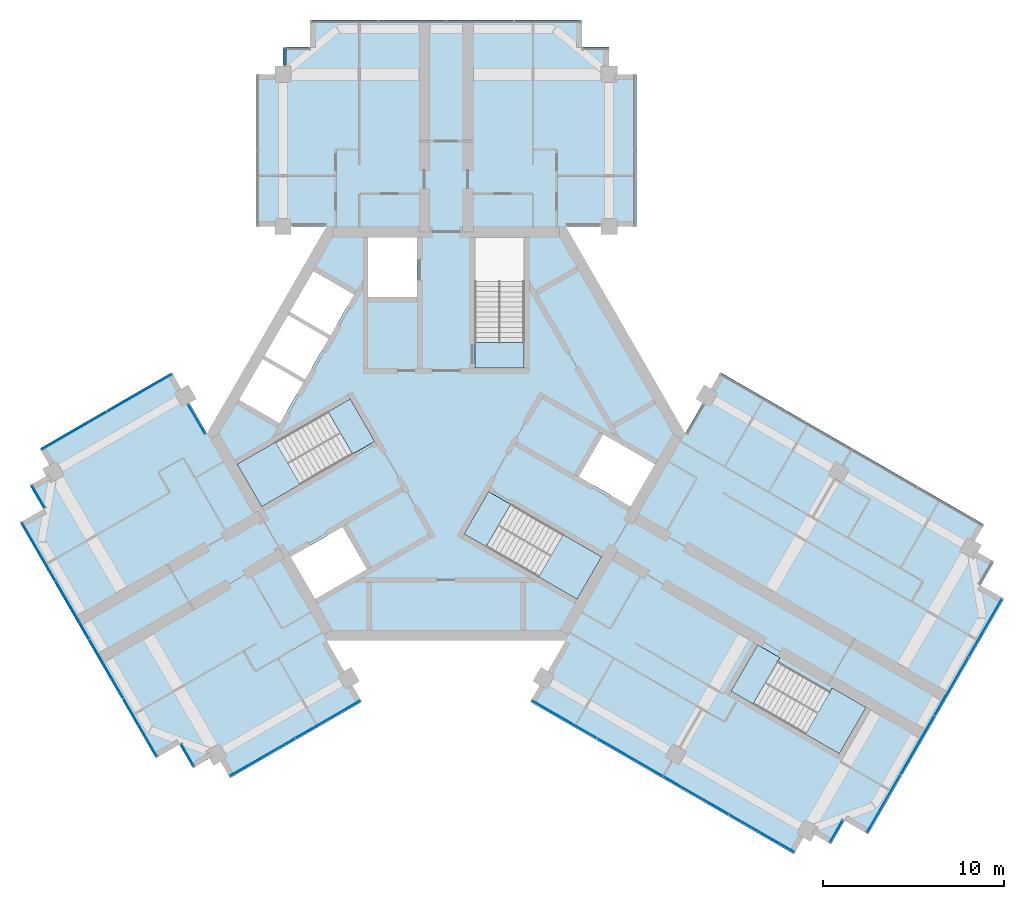
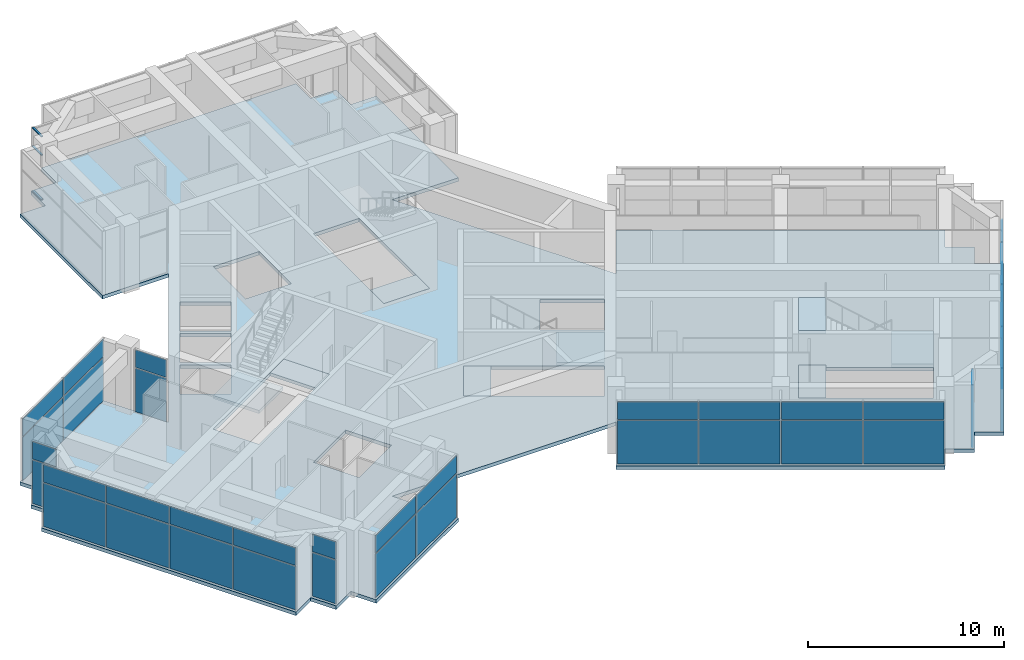
# One storey, part 7 of 13: 39 plates, 9 slabs, 3 members, 14 elements without a shape of their own.
"""IFC4 building model written with IfcOpenShell, lengths in metres."""

import ifcopenshell
import ifcopenshell.guid

model = None  # the IFC model being written
_history = None  # IfcOwnerHistory: only IFC2X3 demands one
_inside = {}  # id of a spatial element -> (the spatial element, [elements in it])
_under = {}  # id of a project, library or spatial element -> (it, [spatial elements below it])
_declared = {}  # id of a project -> (the project, [libraries it declares])
_typed = {}  # id of a type object -> (the type object, [elements of that type])
_made_of = {}  # id of a material, layer set ... -> (it, [elements and type objects made of it])


def new_model(schema):
    """Start an empty IFC model of exactly this schema.

    Asked for "IFC4X3", IfcOpenShell would pick the latest addendum, in which some entities
    have other attributes; the version numbers below select the first issue.
    IFC2X3 requires an IfcOwnerHistory on every rooted entity: one is made here for all.
    """
    global model, _history
    if schema == "IFC4X3":
        model = ifcopenshell.file(schema_version=(4, 3, 0, 0))
    else:
        model = ifcopenshell.file(schema=schema)
    _inside.clear()
    _under.clear()
    _declared.clear()
    _typed.clear()
    _made_of.clear()
    _history = None
    if model.schema == "IFC2X3":
        org = make("IfcOrganization", Name="unknown")
        user = make(
            "IfcPersonAndOrganization",
            ThePerson=make("IfcPerson", FamilyName="unknown"),
            TheOrganization=org,
        )
        app = make(
            "IfcApplication",
            ApplicationDeveloper=org,
            Version="unknown",
            ApplicationFullName="unknown",
            ApplicationIdentifier="unknown",
        )
        _history = make(
            "IfcOwnerHistory",
            OwningUser=user,
            OwningApplication=app,
            ChangeAction="ADDED",
            CreationDate=0,
        )
    return model


def make(cls, **values):
    """One entity of the class cls with the attributes given. An attribute that is None is left unset."""
    return model.create_entity(
        cls, **{name: value for name, value in values.items() if value is not None}
    )


def rooted(cls, **values):
    """An entity with a GlobalId (a new one), such as an element, a storey or a relation."""
    return make(cls, GlobalId=ifcopenshell.guid.new(), OwnerHistory=_history, **values)


def si_unit(unit_type, name, prefix=None):
    """IfcSIUnit, for example si_unit("LENGTHUNIT", "METRE", prefix="MILLI")."""
    return make("IfcSIUnit", UnitType=unit_type, Prefix=prefix, Name=name)


def assignment(units):
    """IfcUnitAssignment: the units of a project."""
    return None if units is None else make("IfcUnitAssignment", Units=units)


def point(xyz):
    """IfcCartesianPoint."""
    return None if xyz is None else make("IfcCartesianPoint", Coordinates=xyz)


def direction(xyz):
    """IfcDirection."""
    return None if xyz is None else make("IfcDirection", DirectionRatios=xyz)


def frame(location, z_axis=None, x_axis=None):
    """IfcAxis2Placement3D, a coordinate frame: its origin and axes. An axis left out is left unset."""
    return make(
        "IfcAxis2Placement3D",
        Location=point(location),
        Axis=direction(z_axis),
        RefDirection=direction(x_axis),
    )


def frame_2d(location, x_axis=None):
    """IfcAxis2Placement2D, a coordinate frame in the plane: its origin and x axis."""
    return make(
        "IfcAxis2Placement2D", Location=point(location), RefDirection=direction(x_axis)
    )


def origin():
    """The frame at (0, 0, 0) with its axes left unset."""
    return frame((0.0, 0.0, 0.0))


def origin_2d():
    """The frame at (0, 0) in the plane with its x axis left unset."""
    return frame_2d((0.0, 0.0))


def place(relative_to, where):
    """IfcLocalPlacement: puts the frame where relative to a parent placement (None: the world)."""
    return make(
        "IfcLocalPlacement", PlacementRelTo=relative_to, RelativePlacement=where
    )


def context(
    kind, dimensions, precision=None, world=None, true_north=None, identifier=None
):
    """IfcGeometricRepresentationContext, for example the 3D "Model" context."""
    return make(
        "IfcGeometricRepresentationContext",
        ContextIdentifier=identifier,
        ContextType=kind,
        CoordinateSpaceDimension=dimensions,
        Precision=precision,
        WorldCoordinateSystem=world,
        TrueNorth=true_north,
    )


def subcontext(parent, identifier, kind, view, scale=None):
    """IfcGeometricRepresentationSubContext, for example "Body" below "Model"."""
    return make(
        "IfcGeometricRepresentationSubContext",
        ContextIdentifier=identifier,
        ContextType=kind,
        ParentContext=parent,
        TargetScale=scale,
        TargetView=view,
    )


def project(units=None, contexts=None):
    """IfcProject with its units and contexts."""
    return rooted(
        "IfcProject",
        Name="project",
        RepresentationContexts=contexts,
        UnitsInContext=assignment(units),
    )


def spatial(cls, under=None, at=None, **own):
    """A site, building, storey or space (cls), placed at a placement, below another one or the project."""
    s = rooted(cls, ObjectPlacement=at, **own)
    if under is not None:
        _under.setdefault(under.id(), (under, []))[1].append(s)
    return s


def polyline(points):
    """IfcPolyline through the points."""
    return make("IfcPolyline", Points=[point(p) for p in points])


def profile(cls, at=None, kind="AREA", **sizes):
    """A parametric profile (cls). Its sizes go by their IFC names, for example OverallWidth=200.0."""
    return make(cls, ProfileType=kind, Position=at, **sizes)


def rectangle(**sizes):
    """IfcRectangleProfileDef."""
    return profile("IfcRectangleProfileDef", **sizes)


def outline(outer, holes=None, kind="AREA"):
    """IfcArbitraryClosedProfileDef: a profile drawn as a closed curve; with holes, ...WithVoids."""
    if holes is None:
        return make("IfcArbitraryClosedProfileDef", ProfileType=kind, OuterCurve=outer)
    return make(
        "IfcArbitraryProfileDefWithVoids",
        ProfileType=kind,
        OuterCurve=outer,
        InnerCurves=holes,
    )


def extrude(swept, where, along, depth):
    """IfcExtrudedAreaSolid: the profile swept, set in the frame where, extruded along a direction by depth."""
    return make(
        "IfcExtrudedAreaSolid",
        SweptArea=swept,
        Position=where,
        ExtrudedDirection=direction(along),
        Depth=depth,
    )


def shape(context_of_items, identifier, shape_type, items):
    """IfcShapeRepresentation: the items that make up one representation, for example the "Body"."""
    return make(
        "IfcShapeRepresentation",
        ContextOfItems=context_of_items,
        RepresentationIdentifier=identifier,
        RepresentationType=shape_type,
        Items=items,
    )


def material(Name=None, Category=None):
    """IfcMaterial."""
    return make("IfcMaterial", Name=Name, Category=Category)


def layer(
    of_material, thickness, ventilated=None, Name=None, Category=None, Priority=None
):
    """IfcMaterialLayer: one layer of a wall or slab, of a material (None: an air gap)."""
    return make(
        "IfcMaterialLayer",
        Material=of_material,
        LayerThickness=thickness,
        IsVentilated=ventilated,
        Name=Name,
        Category=Category,
        Priority=Priority,
    )


def layer_set(layers, Name=None):
    """IfcMaterialLayerSet."""
    return make("IfcMaterialLayerSet", MaterialLayers=layers, LayerSetName=Name)


def material_profile(
    of_material, cross_section, Name=None, Category=None, Priority=None
):
    """IfcMaterialProfile: a cross section and its material."""
    return make(
        "IfcMaterialProfile",
        Name=Name,
        Material=of_material,
        Profile=cross_section,
        Priority=Priority,
        Category=Category,
    )


def profile_set(profiles, Name=None, composite=None):
    """IfcMaterialProfileSet."""
    return make(
        "IfcMaterialProfileSet",
        Name=Name,
        MaterialProfiles=profiles,
        CompositeProfile=composite,
    )


def made_of(thing, what):
    """Note that an element or type object is made of a material, layer set ...; save() writes the relation."""
    if what is not None:
        _made_of.setdefault(what.id(), (what, []))[1].append(thing)
    return thing


def type_object(cls, material=None, **own):
    """A type object (cls), such as IfcWallType, which elements share."""
    return made_of(rooted(cls, **own), material)


def element(
    cls,
    number,
    at=None,
    inside=None,
    cuts=None,
    type_object=None,
    material=None,
    context=None,
    identifier="Body",
    shape_type=None,
    held_by="IfcProductDefinitionShape",
    body=None,
    shapes=None,
    **own,
):
    """One element of the class cls, such as IfcWall. Its Tag is "e" and its number.

    at: its placement. inside: the storey or other place that contains it. cuts: it is an
    opening in that element (IfcRelVoidsElement). A single representation is given by context,
    identifier, shape_type and body (its items); several are given by shapes. held_by: the class
    of the entity that holds the representations. save() writes the other relations.
    """
    e = rooted(cls, Tag="e%d" % number, ObjectPlacement=at, **own)
    if body is not None:
        shapes = [shape(context, identifier, shape_type, body)]
    if shapes is not None:
        e.Representation = make(held_by, Representations=shapes)
    if inside is not None:
        _inside.setdefault(inside.id(), (inside, []))[1].append(e)
    if cuts is not None:
        rooted(
            "IfcRelVoidsElement", RelatingBuildingElement=cuts, RelatedOpeningElement=e
        )
    if type_object is not None:
        _typed.setdefault(type_object.id(), (type_object, []))[1].append(e)
    return made_of(e, material)


def aggregate(whole, parts):
    """IfcRelAggregates: a whole, such as a stair, and the parts it consists of."""
    return rooted("IfcRelAggregates", RelatingObject=whole, RelatedObjects=parts)


def save(model, path):
    """Write the relations noted so far, then the file.

    IfcRelAggregates (storeys below a building ...), IfcRelContainedInSpatialStructure (elements
    in a storey), IfcRelDefinesByType, IfcRelAssociatesMaterial and IfcRelDeclares: one each for
    every whole, place, type object, material and project.
    """
    for whole, parts in _under.values():
        aggregate(whole, parts)
    for where, things in _inside.values():
        rooted(
            "IfcRelContainedInSpatialStructure",
            RelatedElements=things,
            RelatingStructure=where,
        )
    for kind, things in _typed.values():
        rooted("IfcRelDefinesByType", RelatedObjects=things, RelatingType=kind)
    for what, things in _made_of.values():
        rooted("IfcRelAssociatesMaterial", RelatedObjects=things, RelatingMaterial=what)
    for by, libraries in _declared.values():
        rooted("IfcRelDeclares", RelatingContext=by, RelatedDefinitions=libraries)
    model.write(path)


model = new_model("IFC4")

# Units and contexts
model_context = context("Model", 3, precision=1e-05, world=origin(), true_north=direction((0.0, 1.0)))
body_context = subcontext(model_context, "Body", "Model", "MODEL_VIEW")
ifc_project = project(units=[si_unit("LENGTHUNIT", "METRE"), si_unit("AREAUNIT", "SQUARE_METRE"), si_unit("VOLUMEUNIT", "CUBIC_METRE"), si_unit("PLANEANGLEUNIT", "RADIAN"), si_unit("MASSUNIT", "GRAM", prefix="KILO")], contexts=[model_context])

# Site, building, storey
site_placement = place(None, origin())
site = spatial("IfcSite", under=ifc_project, at=site_placement, CompositionType="ELEMENT")
building_placement = place(site_placement, origin())
building = spatial("IfcBuilding", under=site, at=building_placement, Name="Impinga Residences", CompositionType="ELEMENT")
storey_placement = place(building_placement, frame((0.0, 0.0, 287.35009765625)))
storey = spatial("IfcBuildingStorey", under=building, at=storey_placement, Name="L72", CompositionType="ELEMENT", Elevation=287.35009765625)

# Curtain wall, members
ifc_material_1 = material(Name="Aluminium stick curtain wall", Category="aluminium")
curtain_wall_type = type_object("IfcCurtainWallType", Name="CW3 penthouse curtain wall", PredefinedType="USERDEFINED", material=ifc_material_1)
curtain_wall_1_placement = place(storey_placement, origin())
curtain_wall_1 = element("IfcCurtainWall", 1, at=curtain_wall_1_placement, inside=storey, type_object=curtain_wall_type, Name="Curtain wall CW3 L72", ObjectType="STICK CURTAIN WALL", PredefinedType="USERDEFINED")
ifc_material_2 = material(Name="Aluminium transom", Category="aluminium")
ifc_material_profile = material_profile(ifc_material_2, rectangle(XDim=0.06005859375, YDim=0.1201171875, at=origin_2d()), Name="60x120 transom")
ifc_profile_set = profile_set([ifc_material_profile], Name="Aluminium transom")
member_type = type_object("IfcMemberType", Name="CW3-T transom 60x120", PredefinedType="USERDEFINED", material=ifc_profile_set)
member_1_placement = place(storey_placement, frame((-8.89990234375, 20.344482421875, 0.02978515625), z_axis=(0.0, 1.0, 0.0), x_axis=(0.0, 0.0, 1.0)))
member_1 = element("IfcMember", 2, at=member_1_placement, type_object=member_type, Name="CW3 transom 1.1", ObjectType="TRANSOM", PredefinedType="USERDEFINED", context=body_context, shape_type="SweptSolid", body=[
    extrude(rectangle(XDim=0.06005859375, YDim=0.1201171875, at=origin_2d()), origin(), (0.0, 0.0, 1.0), 0.927001953125),
])
member_2_placement = place(storey_placement, frame((-8.89990234375, 20.344482421875, 2.7998046875), z_axis=(0.0, 1.0, 0.0), x_axis=(0.0, 0.0, 1.0)))
member_2 = element("IfcMember", 3, at=member_2_placement, type_object=member_type, Name="CW3 transom 1.2", ObjectType="TRANSOM", PredefinedType="USERDEFINED", context=body_context, shape_type="SweptSolid", body=[
    extrude(rectangle(XDim=0.06005859375, YDim=0.1201171875, at=origin_2d()), origin(), (0.0, 0.0, 1.0), 0.927001953125),
])
member_3_placement = place(storey_placement, frame((-8.89990234375, 20.344482421875, 3.949951171875), z_axis=(0.0, 1.0, 0.0), x_axis=(0.0, 0.0, 1.0)))
member_3 = element("IfcMember", 4, at=member_3_placement, type_object=member_type, Name="CW3 transom 1.3", ObjectType="TRANSOM", PredefinedType="USERDEFINED", context=body_context, shape_type="SweptSolid", body=[
    extrude(rectangle(XDim=0.06005859375, YDim=0.1201171875, at=origin_2d()), origin(), (0.0, 0.0, 1.0), 0.927001953125),
])
aggregate(curtain_wall_1, [member_1, member_2, member_3])

# Curtain wall, plates
curtain_wall_2_placement = place(storey_placement, origin())
curtain_wall_2 = element("IfcCurtainWall", 5, at=curtain_wall_2_placement, inside=storey, type_object=curtain_wall_type, Name="Curtain wall CW3 L72", ObjectType="STICK CURTAIN WALL", PredefinedType="USERDEFINED")
ifc_material_3 = material(Name="Clear double glazing", Category="glass")
ifc_layer_1 = layer(ifc_material_3, 0.028076171875)
ifc_layer_set_1 = layer_set([ifc_layer_1], Name="CW3-P clear double glazed panel 28")
plate_type = type_object("IfcPlateType", Name="CW3-P clear double glazed panel 28", PredefinedType="CURTAIN_PANEL", material=ifc_layer_set_1)
plate_1_placement = place(storey_placement, frame((29.765625, -10.707275390625, 0.059814453125), z_axis=(0.0, 0.0, 1.0), x_axis=(-0.500000001632, -0.866025402842, 0.0)))
plate_1 = element("IfcPlate", 6, at=plate_1_placement, type_object=plate_type, Name="CW3 panel 1.1", PredefinedType="CURTAIN_PANEL", context=body_context, shape_type="SweptSolid", body=[
    extrude(rectangle(XDim=3.659912109375, YDim=0.028076171875, at=origin_2d()), origin(), (0.0, 0.0, 1.0), 2.7099609375),
])
plate_2_placement = place(storey_placement, frame((27.898193359375, -13.94189453125, 0.059814453125), z_axis=(0.0, 0.0, 1.0), x_axis=(-0.500000001632, -0.866025402842, 0.0)))
plate_2 = element("IfcPlate", 7, at=plate_2_placement, type_object=plate_type, Name="CW3 panel 2.1", PredefinedType="CURTAIN_PANEL", context=body_context, shape_type="SweptSolid", body=[
    extrude(rectangle(XDim=3.68994140625, YDim=0.028076171875, at=origin_2d()), origin(), (0.0, 0.0, 1.0), 2.7099609375),
])
plate_3_placement = place(storey_placement, frame((27.898193359375, -13.94189453125, 2.830078125), z_axis=(0.0, 0.0, 1.0), x_axis=(-0.500000001632, -0.866025402842, 0.0)))
plate_3 = element("IfcPlate", 8, at=plate_3_placement, type_object=plate_type, Name="CW3 panel 2.2", PredefinedType="CURTAIN_PANEL", context=body_context, shape_type="SweptSolid", body=[
    extrude(rectangle(XDim=3.68994140625, YDim=0.028076171875, at=origin_2d()), origin(), (0.0, 0.0, 1.0), 1.090087890625),
])
plate_4_placement = place(storey_placement, frame((26.023193359375, -17.189453125, 0.059814453125), z_axis=(0.0, 0.0, 1.0), x_axis=(-0.500000001632, -0.866025402842, 0.0)))
plate_4 = element("IfcPlate", 9, at=plate_4_placement, type_object=plate_type, Name="CW3 panel 3.1", PredefinedType="CURTAIN_PANEL", context=body_context, shape_type="SweptSolid", body=[
    extrude(rectangle(XDim=3.68994140625, YDim=0.028076171875, at=origin_2d()), origin(), (0.0, 0.0, 1.0), 2.7099609375),
])
plate_5_placement = place(storey_placement, frame((26.023193359375, -17.189453125, 2.830078125), z_axis=(0.0, 0.0, 1.0), x_axis=(-0.500000001632, -0.866025402842, 0.0)))
plate_5 = element("IfcPlate", 10, at=plate_5_placement, type_object=plate_type, Name="CW3 panel 3.2", PredefinedType="CURTAIN_PANEL", context=body_context, shape_type="SweptSolid", body=[
    extrude(rectangle(XDim=3.68994140625, YDim=0.028076171875, at=origin_2d()), origin(), (0.0, 0.0, 1.0), 1.090087890625),
])
plate_6_placement = place(storey_placement, frame((24.15576171875, -20.424072265625, 0.059814453125), z_axis=(0.0, 0.0, 1.0), x_axis=(-0.500000001632, -0.866025402842, 0.0)))
plate_6 = element("IfcPlate", 11, at=plate_6_placement, type_object=plate_type, Name="CW3 panel 4.1", PredefinedType="CURTAIN_PANEL", context=body_context, shape_type="SweptSolid", body=[
    extrude(rectangle(XDim=3.659912109375, YDim=0.028076171875, at=origin_2d()), origin(), (0.0, 0.0, 1.0), 2.7099609375),
])
plate_7_placement = place(storey_placement, frame((24.15576171875, -20.424072265625, 2.830078125), z_axis=(0.0, 0.0, 1.0), x_axis=(-0.500000001632, -0.866025402842, 0.0)))
plate_7 = element("IfcPlate", 12, at=plate_7_placement, type_object=plate_type, Name="CW3 panel 4.2", PredefinedType="CURTAIN_PANEL", context=body_context, shape_type="SweptSolid", body=[
    extrude(rectangle(XDim=3.659912109375, YDim=0.028076171875, at=origin_2d()), origin(), (0.0, 0.0, 1.0), 1.090087890625),
])
aggregate(curtain_wall_2, [plate_1, plate_2, plate_3, plate_4, plate_5, plate_6, plate_7])

curtain_wall_3_placement = place(storey_placement, origin())
curtain_wall_3 = element("IfcCurtainWall", 13, at=curtain_wall_3_placement, inside=storey, type_object=curtain_wall_type, Name="Curtain wall CW3 L72", ObjectType="STICK CURTAIN WALL", PredefinedType="USERDEFINED")
plate_8_placement = place(storey_placement, frame((21.53662109375, -21.96044921875, 0.059814453125), z_axis=(0.0, 0.0, 1.0), x_axis=(-0.500000030502, -0.866025386174, 0.0)))
plate_8 = element("IfcPlate", 14, at=plate_8_placement, type_object=plate_type, Name="CW3 panel 1.1", PredefinedType="CURTAIN_PANEL", context=body_context, shape_type="SweptSolid", body=[
    extrude(rectangle(XDim=1.3798828125, YDim=0.028076171875, at=origin_2d()), origin(), (0.0, 0.0, 1.0), 2.7099609375),
])
plate_9_placement = place(storey_placement, frame((21.53662109375, -21.96044921875, 2.830078125), z_axis=(0.0, 0.0, 1.0), x_axis=(-0.500000030502, -0.866025386174, 0.0)))
plate_9 = element("IfcPlate", 15, at=plate_9_placement, type_object=plate_type, Name="CW3 panel 1.2", PredefinedType="CURTAIN_PANEL", context=body_context, shape_type="SweptSolid", body=[
    extrude(rectangle(XDim=1.3798828125, YDim=0.028076171875, at=origin_2d()), origin(), (0.0, 0.0, 1.0), 1.090087890625),
])
aggregate(curtain_wall_3, [plate_8, plate_9])

curtain_wall_4_placement = place(storey_placement, origin())
curtain_wall_4 = element("IfcCurtainWall", 16, at=curtain_wall_4_placement, inside=storey, type_object=curtain_wall_type, Name="Curtain wall CW3 L72", ObjectType="STICK CURTAIN WALL", PredefinedType="USERDEFINED")
plate_10_placement = place(storey_placement, frame((17.41748046875, -22.06494140625, 0.059814453125), z_axis=(0.0, 0.0, 1.0), x_axis=(-0.866025407005, 0.499999994423, 0.0)))
plate_10 = element("IfcPlate", 17, at=plate_10_placement, type_object=plate_type, Name="CW3 panel 1.1", PredefinedType="CURTAIN_PANEL", context=body_context, shape_type="SweptSolid", body=[
    extrude(rectangle(XDim=4.110107421875, YDim=0.028076171875, at=origin_2d()), origin(), (0.0, 0.0, 1.0), 2.7099609375),
])
plate_11_placement = place(storey_placement, frame((17.41748046875, -22.06494140625, 2.830078125), z_axis=(0.0, 0.0, 1.0), x_axis=(-0.866025407005, 0.499999994423, 0.0)))
plate_11 = element("IfcPlate", 18, at=plate_11_placement, type_object=plate_type, Name="CW3 panel 1.2", PredefinedType="CURTAIN_PANEL", context=body_context, shape_type="SweptSolid", body=[
    extrude(rectangle(XDim=4.110107421875, YDim=0.028076171875, at=origin_2d()), origin(), (0.0, 0.0, 1.0), 1.090087890625),
])
plate_12_placement = place(storey_placement, frame((13.793212890625, -19.972412109375, 0.059814453125), z_axis=(0.0, 0.0, 1.0), x_axis=(-0.866025407005, 0.499999994423, 0.0)))
plate_12 = element("IfcPlate", 19, at=plate_12_placement, type_object=plate_type, Name="CW3 panel 2.1", PredefinedType="CURTAIN_PANEL", context=body_context, shape_type="SweptSolid", body=[
    extrude(rectangle(XDim=4.139892578125, YDim=0.028076171875, at=origin_2d()), origin(), (0.0, 0.0, 1.0), 2.7099609375),
])
plate_13_placement = place(storey_placement, frame((13.793212890625, -19.972412109375, 2.830078125), z_axis=(0.0, 0.0, 1.0), x_axis=(-0.866025407005, 0.499999994423, 0.0)))
plate_13 = element("IfcPlate", 20, at=plate_13_placement, type_object=plate_type, Name="CW3 panel 2.2", PredefinedType="CURTAIN_PANEL", context=body_context, shape_type="SweptSolid", body=[
    extrude(rectangle(XDim=4.139892578125, YDim=0.028076171875, at=origin_2d()), origin(), (0.0, 0.0, 1.0), 1.090087890625),
])
plate_14_placement = place(storey_placement, frame((10.156005859375, -17.872314453125, 0.059814453125), z_axis=(0.0, 0.0, 1.0), x_axis=(-0.866025407005, 0.499999994423, 0.0)))
plate_14 = element("IfcPlate", 21, at=plate_14_placement, type_object=plate_type, Name="CW3 panel 3.1", PredefinedType="CURTAIN_PANEL", context=body_context, shape_type="SweptSolid", body=[
    extrude(rectangle(XDim=4.139892578125, YDim=0.028076171875, at=origin_2d()), origin(), (0.0, 0.0, 1.0), 2.7099609375),
])
plate_15_placement = place(storey_placement, frame((10.156005859375, -17.872314453125, 2.830078125), z_axis=(0.0, 0.0, 1.0), x_axis=(-0.866025407005, 0.499999994423, 0.0)))
plate_15 = element("IfcPlate", 22, at=plate_15_placement, type_object=plate_type, Name="CW3 panel 3.2", PredefinedType="CURTAIN_PANEL", context=body_context, shape_type="SweptSolid", body=[
    extrude(rectangle(XDim=4.139892578125, YDim=0.028076171875, at=origin_2d()), origin(), (0.0, 0.0, 1.0), 1.090087890625),
])
plate_16_placement = place(storey_placement, frame((6.53173828125, -15.780029296875, 0.059814453125), z_axis=(0.0, 0.0, 1.0), x_axis=(-0.866025407005, 0.499999994423, 0.0)))
plate_16 = element("IfcPlate", 23, at=plate_16_placement, type_object=plate_type, Name="CW3 panel 4.1", PredefinedType="CURTAIN_PANEL", context=body_context, shape_type="SweptSolid", body=[
    extrude(rectangle(XDim=4.110107421875, YDim=0.028076171875, at=origin_2d()), origin(), (0.0, 0.0, 1.0), 2.7099609375),
])
plate_17_placement = place(storey_placement, frame((6.53173828125, -15.780029296875, 2.830078125), z_axis=(0.0, 0.0, 1.0), x_axis=(-0.866025407005, 0.499999994423, 0.0)))
plate_17 = element("IfcPlate", 24, at=plate_17_placement, type_object=plate_type, Name="CW3 panel 4.2", PredefinedType="CURTAIN_PANEL", context=body_context, shape_type="SweptSolid", body=[
    extrude(rectangle(XDim=4.110107421875, YDim=0.028076171875, at=origin_2d()), origin(), (0.0, 0.0, 1.0), 1.090087890625),
])
aggregate(curtain_wall_4, [plate_10, plate_11, plate_12, plate_13, plate_14, plate_15, plate_16, plate_17])

curtain_wall_5_placement = place(storey_placement, origin())
curtain_wall_5 = element("IfcCurtainWall", 25, at=curtain_wall_5_placement, inside=storey, type_object=curtain_wall_type, Name="Curtain wall CW3 L72", ObjectType="STICK CURTAIN WALL", PredefinedType="USERDEFINED")
plate_18_placement = place(storey_placement, frame((-6.53173828125, -15.780029296875, 0.059814453125), z_axis=(0.0, 0.0, 1.0), x_axis=(-0.866025392126, -0.500000020194, 0.0)))
plate_18 = element("IfcPlate", 26, at=plate_18_placement, type_object=plate_type, Name="CW3 panel 1.1", PredefinedType="CURTAIN_PANEL", context=body_context, shape_type="SweptSolid", body=[
    extrude(rectangle(XDim=4.110107421875, YDim=0.028076171875, at=origin_2d()), origin(), (0.0, 0.0, 1.0), 2.7099609375),
])
plate_19_placement = place(storey_placement, frame((-6.53173828125, -15.780029296875, 2.830078125), z_axis=(0.0, 0.0, 1.0), x_axis=(-0.866025392126, -0.500000020194, 0.0)))
plate_19 = element("IfcPlate", 27, at=plate_19_placement, type_object=plate_type, Name="CW3 panel 1.2", PredefinedType="CURTAIN_PANEL", context=body_context, shape_type="SweptSolid", body=[
    extrude(rectangle(XDim=4.110107421875, YDim=0.028076171875, at=origin_2d()), origin(), (0.0, 0.0, 1.0), 1.090087890625),
])
plate_20_placement = place(storey_placement, frame((-10.14306640625, -17.864990234375, 0.059814453125), z_axis=(0.0, 0.0, 1.0), x_axis=(-0.866025392126, -0.500000020194, 0.0)))
plate_20 = element("IfcPlate", 28, at=plate_20_placement, type_object=plate_type, Name="CW3 panel 2.1", PredefinedType="CURTAIN_PANEL", context=body_context, shape_type="SweptSolid", body=[
    extrude(rectangle(XDim=4.110107421875, YDim=0.028076171875, at=origin_2d()), origin(), (0.0, 0.0, 1.0), 2.7099609375),
])
plate_21_placement = place(storey_placement, frame((-10.14306640625, -17.864990234375, 2.830078125), z_axis=(0.0, 0.0, 1.0), x_axis=(-0.866025392126, -0.500000020194, 0.0)))
plate_21 = element("IfcPlate", 29, at=plate_21_placement, type_object=plate_type, Name="CW3 panel 2.2", PredefinedType="CURTAIN_PANEL", context=body_context, shape_type="SweptSolid", body=[
    extrude(rectangle(XDim=4.110107421875, YDim=0.028076171875, at=origin_2d()), origin(), (0.0, 0.0, 1.0), 1.090087890625),
])
aggregate(curtain_wall_5, [plate_18, plate_19, plate_20, plate_21])

curtain_wall_6_placement = place(storey_placement, origin())
curtain_wall_6 = element("IfcCurtainWall", 30, at=curtain_wall_6_placement, inside=storey, type_object=curtain_wall_type, Name="Curtain wall CW3 L72", ObjectType="STICK CURTAIN WALL", PredefinedType="USERDEFINED")
plate_22_placement = place(storey_placement, frame((-14.261962890625, -17.760498046875, 0.059814453125), z_axis=(0.0, 0.0, 1.0), x_axis=(-0.500000030502, 0.866025386174, 0.0)))
plate_22 = element("IfcPlate", 31, at=plate_22_placement, type_object=plate_type, Name="CW3 panel 1.1", PredefinedType="CURTAIN_PANEL", context=body_context, shape_type="SweptSolid", body=[
    extrude(rectangle(XDim=1.3798828125, YDim=0.028076171875, at=origin_2d()), origin(), (0.0, 0.0, 1.0), 2.7099609375),
])
plate_23_placement = place(storey_placement, frame((-14.261962890625, -17.760498046875, 2.830078125), z_axis=(0.0, 0.0, 1.0), x_axis=(-0.500000030502, 0.866025386174, 0.0)))
plate_23 = element("IfcPlate", 32, at=plate_23_placement, type_object=plate_type, Name="CW3 panel 1.2", PredefinedType="CURTAIN_PANEL", context=body_context, shape_type="SweptSolid", body=[
    extrude(rectangle(XDim=1.3798828125, YDim=0.028076171875, at=origin_2d()), origin(), (0.0, 0.0, 1.0), 1.090087890625),
])
aggregate(curtain_wall_6, [plate_22, plate_23])

curtain_wall_7_placement = place(storey_placement, origin())
curtain_wall_7 = element("IfcCurtainWall", 33, at=curtain_wall_7_placement, inside=storey, type_object=curtain_wall_type, Name="Curtain wall CW3 L72", ObjectType="STICK CURTAIN WALL", PredefinedType="USERDEFINED")
plate_24_placement = place(storey_placement, frame((-16.881103515625, -16.22412109375, 0.059814453125), z_axis=(0.0, 0.0, 1.0), x_axis=(-0.500000001632, 0.866025402842, 0.0)))
plate_24 = element("IfcPlate", 34, at=plate_24_placement, type_object=plate_type, Name="CW3 panel 1.1", PredefinedType="CURTAIN_PANEL", context=body_context, shape_type="SweptSolid", body=[
    extrude(rectangle(XDim=3.659912109375, YDim=0.028076171875, at=origin_2d()), origin(), (0.0, 0.0, 1.0), 2.7099609375),
])
plate_25_placement = place(storey_placement, frame((-16.881103515625, -16.22412109375, 2.830078125), z_axis=(0.0, 0.0, 1.0), x_axis=(-0.500000001632, 0.866025402842, 0.0)))
plate_25 = element("IfcPlate", 35, at=plate_25_placement, type_object=plate_type, Name="CW3 panel 1.2", PredefinedType="CURTAIN_PANEL", context=body_context, shape_type="SweptSolid", body=[
    extrude(rectangle(XDim=3.659912109375, YDim=0.028076171875, at=origin_2d()), origin(), (0.0, 0.0, 1.0), 1.090087890625),
])
plate_26_placement = place(storey_placement, frame((-18.74853515625, -12.989501953125, 0.059814453125), z_axis=(0.0, 0.0, 1.0), x_axis=(-0.500000001632, 0.866025402842, 0.0)))
plate_26 = element("IfcPlate", 36, at=plate_26_placement, type_object=plate_type, Name="CW3 panel 2.1", PredefinedType="CURTAIN_PANEL", context=body_context, shape_type="SweptSolid", body=[
    extrude(rectangle(XDim=3.68994140625, YDim=0.028076171875, at=origin_2d()), origin(), (0.0, 0.0, 1.0), 2.7099609375),
])
plate_27_placement = place(storey_placement, frame((-18.74853515625, -12.989501953125, 2.830078125), z_axis=(0.0, 0.0, 1.0), x_axis=(-0.500000001632, 0.866025402842, 0.0)))
plate_27 = element("IfcPlate", 37, at=plate_27_placement, type_object=plate_type, Name="CW3 panel 2.2", PredefinedType="CURTAIN_PANEL", context=body_context, shape_type="SweptSolid", body=[
    extrude(rectangle(XDim=3.68994140625, YDim=0.028076171875, at=origin_2d()), origin(), (0.0, 0.0, 1.0), 1.090087890625),
])
plate_28_placement = place(storey_placement, frame((-20.62353515625, -9.741943359375, 0.059814453125), z_axis=(0.0, 0.0, 1.0), x_axis=(-0.500000001632, 0.866025402842, 0.0)))
plate_28 = element("IfcPlate", 38, at=plate_28_placement, type_object=plate_type, Name="CW3 panel 3.1", PredefinedType="CURTAIN_PANEL", context=body_context, shape_type="SweptSolid", body=[
    extrude(rectangle(XDim=3.68994140625, YDim=0.028076171875, at=origin_2d()), origin(), (0.0, 0.0, 1.0), 2.7099609375),
])
plate_29_placement = place(storey_placement, frame((-20.62353515625, -9.741943359375, 2.830078125), z_axis=(0.0, 0.0, 1.0), x_axis=(-0.500000001632, 0.866025402842, 0.0)))
plate_29 = element("IfcPlate", 39, at=plate_29_placement, type_object=plate_type, Name="CW3 panel 3.2", PredefinedType="CURTAIN_PANEL", context=body_context, shape_type="SweptSolid", body=[
    extrude(rectangle(XDim=3.68994140625, YDim=0.028076171875, at=origin_2d()), origin(), (0.0, 0.0, 1.0), 1.090087890625),
])
plate_30_placement = place(storey_placement, frame((-22.490966796875, -6.50732421875, 0.059814453125), z_axis=(0.0, 0.0, 1.0), x_axis=(-0.500000001632, 0.866025402842, 0.0)))
plate_30 = element("IfcPlate", 40, at=plate_30_placement, type_object=plate_type, Name="CW3 panel 4.1", PredefinedType="CURTAIN_PANEL", context=body_context, shape_type="SweptSolid", body=[
    extrude(rectangle(XDim=3.659912109375, YDim=0.028076171875, at=origin_2d()), origin(), (0.0, 0.0, 1.0), 2.7099609375),
])
plate_31_placement = place(storey_placement, frame((-22.490966796875, -6.50732421875, 2.830078125), z_axis=(0.0, 0.0, 1.0), x_axis=(-0.500000001632, 0.866025402842, 0.0)))
plate_31 = element("IfcPlate", 41, at=plate_31_placement, type_object=plate_type, Name="CW3 panel 4.2", PredefinedType="CURTAIN_PANEL", context=body_context, shape_type="SweptSolid", body=[
    extrude(rectangle(XDim=3.659912109375, YDim=0.028076171875, at=origin_2d()), origin(), (0.0, 0.0, 1.0), 1.090087890625),
])
aggregate(curtain_wall_7, [plate_24, plate_25, plate_26, plate_27, plate_28, plate_29, plate_30, plate_31])

curtain_wall_8_placement = place(storey_placement, origin())
curtain_wall_8 = element("IfcCurtainWall", 42, at=curtain_wall_8_placement, inside=storey, type_object=curtain_wall_type, Name="Curtain wall CW3 L72", ObjectType="STICK CURTAIN WALL", PredefinedType="USERDEFINED")
plate_32_placement = place(storey_placement, frame((-22.511962890625, -3.470947265625, 0.059814453125), z_axis=(0.0, 0.0, 1.0), x_axis=(-0.500000030502, 0.866025386174, 0.0)))
plate_32 = element("IfcPlate", 43, at=plate_32_placement, type_object=plate_type, Name="CW3 panel 1.1", PredefinedType="CURTAIN_PANEL", context=body_context, shape_type="SweptSolid", body=[
    extrude(rectangle(XDim=1.3798828125, YDim=0.028076171875, at=origin_2d()), origin(), (0.0, 0.0, 1.0), 2.7099609375),
])
plate_33_placement = place(storey_placement, frame((-22.511962890625, -3.470947265625, 2.830078125), z_axis=(0.0, 0.0, 1.0), x_axis=(-0.500000030502, 0.866025386174, 0.0)))
plate_33 = element("IfcPlate", 44, at=plate_33_placement, type_object=plate_type, Name="CW3 panel 1.2", PredefinedType="CURTAIN_PANEL", context=body_context, shape_type="SweptSolid", body=[
    extrude(rectangle(XDim=1.3798828125, YDim=0.028076171875, at=origin_2d()), origin(), (0.0, 0.0, 1.0), 1.090087890625),
])
aggregate(curtain_wall_8, [plate_32, plate_33])

curtain_wall_9_placement = place(storey_placement, origin())
curtain_wall_9 = element("IfcCurtainWall", 45, at=curtain_wall_9_placement, inside=storey, type_object=curtain_wall_type, Name="Curtain wall CW3 L72", ObjectType="STICK CURTAIN WALL", PredefinedType="USERDEFINED")
plate_34_placement = place(storey_placement, frame((-20.54296875, 0.1484375, 0.059814453125), z_axis=(0.0, 0.0, 1.0), x_axis=(0.866025392126, 0.500000020194, 0.0)))
plate_34 = element("IfcPlate", 46, at=plate_34_placement, type_object=plate_type, Name="CW3 panel 1.1", PredefinedType="CURTAIN_PANEL", context=body_context, shape_type="SweptSolid", body=[
    extrude(rectangle(XDim=4.110107421875, YDim=0.028076171875, at=origin_2d()), origin(), (0.0, 0.0, 1.0), 2.7099609375),
])
plate_35_placement = place(storey_placement, frame((-20.54296875, 0.1484375, 2.830078125), z_axis=(0.0, 0.0, 1.0), x_axis=(0.866025392126, 0.500000020194, 0.0)))
plate_35 = element("IfcPlate", 47, at=plate_35_placement, type_object=plate_type, Name="CW3 panel 1.2", PredefinedType="CURTAIN_PANEL", context=body_context, shape_type="SweptSolid", body=[
    extrude(rectangle(XDim=4.110107421875, YDim=0.028076171875, at=origin_2d()), origin(), (0.0, 0.0, 1.0), 1.090087890625),
])
plate_36_placement = place(storey_placement, frame((-16.931640625, 2.2333984375, 0.059814453125), z_axis=(0.0, 0.0, 1.0), x_axis=(0.866025392126, 0.500000020194, 0.0)))
plate_36 = element("IfcPlate", 48, at=plate_36_placement, type_object=plate_type, Name="CW3 panel 2.1", PredefinedType="CURTAIN_PANEL", context=body_context, shape_type="SweptSolid", body=[
    extrude(rectangle(XDim=4.110107421875, YDim=0.028076171875, at=origin_2d()), origin(), (0.0, 0.0, 1.0), 2.7099609375),
])
plate_37_placement = place(storey_placement, frame((-16.931640625, 2.2333984375, 2.830078125), z_axis=(0.0, 0.0, 1.0), x_axis=(0.866025392126, 0.500000020194, 0.0)))
plate_37 = element("IfcPlate", 49, at=plate_37_placement, type_object=plate_type, Name="CW3 panel 2.2", PredefinedType="CURTAIN_PANEL", context=body_context, shape_type="SweptSolid", body=[
    extrude(rectangle(XDim=4.110107421875, YDim=0.028076171875, at=origin_2d()), origin(), (0.0, 0.0, 1.0), 1.090087890625),
])
aggregate(curtain_wall_9, [plate_34, plate_35, plate_36, plate_37])

curtain_wall_10_placement = place(storey_placement, origin())
curtain_wall_10 = element("IfcCurtainWall", 50, at=curtain_wall_10_placement, inside=storey, type_object=curtain_wall_type, Name="Curtain wall CW3 L72", ObjectType="STICK CURTAIN WALL", PredefinedType="USERDEFINED")
plate_38_placement = place(storey_placement, frame((-13.7734375, 0.79296875, 0.059814453125), z_axis=(0.0, 0.0, 1.0), x_axis=(0.50000010257, -0.866025344565, 0.0)))
plate_38 = element("IfcPlate", 51, at=plate_38_placement, type_object=plate_type, Name="CW3 panel 1.1", PredefinedType="CURTAIN_PANEL", context=body_context, shape_type="SweptSolid", body=[
    extrude(rectangle(XDim=1.826904296875, YDim=0.028076171875, at=origin_2d()), origin(), (0.0, 0.0, 1.0), 2.7099609375),
])
plate_39_placement = place(storey_placement, frame((-13.7734375, 0.79296875, 2.830078125), z_axis=(0.0, 0.0, 1.0), x_axis=(0.50000010257, -0.866025344565, 0.0)))
plate_39 = element("IfcPlate", 52, at=plate_39_placement, type_object=plate_type, Name="CW3 panel 1.2", PredefinedType="CURTAIN_PANEL", context=body_context, shape_type="SweptSolid", body=[
    extrude(rectangle(XDim=1.826904296875, YDim=0.028076171875, at=origin_2d()), origin(), (0.0, 0.0, 1.0), 1.090087890625),
])
aggregate(curtain_wall_10, [plate_38, plate_39])

# Slab
ifc_material_4 = material(Name="Concrete C60/75", Category="concrete")
ifc_layer_2 = layer(ifc_material_4, 0.219970703125)
ifc_layer_set_2 = layer_set([ifc_layer_2], Name="Concrete C60/75")
slab_type_1 = type_object("IfcSlabType", Name="FS1 tower floor slab 220", PredefinedType="FLOOR", material=ifc_layer_set_2)
slab_1_placement = place(storey_placement, frame((0.0, 0.0, -0.22021484375)))
element("IfcSlab", 53, at=slab_1_placement, inside=storey, type_object=slab_type_1, Name="Floor slab FS1 L72", PredefinedType="FLOOR", context=body_context, shape_type="SweptSolid", body=[
    extrude(outline(polyline([(28.94921875, -6.321533203125), (30.248291015625, -7.071533203125), (29.498291015625, -8.37060546875), (30.79736328125, -9.12060546875), (23.29736328125, -22.11083984375), (21.998291015625, -21.36083984375), (21.248291015625, -22.659912109375), (19.94921875, -21.909912109375), (19.19921875, -23.208984375), (4.64990234375, -14.80908203125), (9.900146484375, -5.7158203125), (6.60009765625, -11.431640625), (-6.60009765625, -11.431640625), (-9.900146484375, -5.7158203125), (-4.64990234375, -14.80908203125), (-11.924560546875, -19.009033203125), (-12.674560546875, -17.7099609375), (-13.9736328125, -18.4599609375), (-14.7236328125, -17.160888671875), (-16.022705078125, -17.910888671875), (-23.522705078125, -4.920654296875), (-22.2236328125, -4.170654296875), (-22.9736328125, -2.87158203125), (-21.674560546875, -2.12158203125), (-22.424560546875, -0.822509765625), (-15.14990234375, 3.37744140625), (-13.199951171875, 0.0), (-6.60009765625, 11.431640625), (-10.5, 11.431640625), (-10.5, 19.83154296875), (-9.0, 19.83154296875), (-9.0, 21.33154296875), (-7.5, 21.33154296875), (-7.5, 22.83154296875), (7.5, 22.83154296875), (7.5, 21.33154296875), (9.0, 21.33154296875), (9.0, 19.83154296875), (10.5, 19.83154296875), (10.5, 11.431640625), (6.60009765625, 11.431640625), (13.199951171875, 0.0), (15.14990234375, 3.37744140625), (29.69921875, -5.0224609375), (28.94921875, -6.321533203125)]), holes=[polyline([(-8.580322265625, -6.801513671875), (-7.23046875, -9.1396484375), (-4.37109375, -7.489013671875), (-5.72119140625, -5.150634765625), (-8.580322265625, -6.801513671875)]), polyline([(-5.293701171875, 1.908935546875), (-11.5302734375, -1.69189453125), (-10.180419921875, -4.030029296875), (-3.943603515625, -0.429443359375), (-5.293701171875, 1.908935546875)]), polyline([(-7.878662109375, 2.816650390625), (-10.13037109375, 4.11669921875), (-11.430419921875, 1.864990234375), (-9.1787109375, 0.56494140625), (-7.878662109375, 2.816650390625)]), polyline([(-8.73046875, 6.54150390625), (-10.0302734375, 4.2900390625), (-7.77880859375, 2.989990234375), (-6.478759765625, 5.24169921875), (-8.73046875, 6.54150390625)]), polyline([(-5.07861328125, 7.66650390625), (-7.330322265625, 8.966552734375), (-8.63037109375, 6.71484375), (-6.378662109375, 5.414794921875), (-5.07861328125, 7.66650390625)]), polyline([(-1.60009765625, 7.530029296875), (-1.60009765625, 10.83154296875), (-4.300048828125, 10.83154296875), (-4.300048828125, 7.530029296875), (-1.60009765625, 7.530029296875)]), polyline([(21.70458984375, -17.669677734375), (23.0546875, -15.331298828125), (18.29150390625, -12.581298828125), (18.41650390625, -12.36474609375), (17.2041015625, -11.664794921875), (15.72900390625, -14.219482421875), (21.70458984375, -17.669677734375)]), polyline([(7.23046875, -9.1396484375), (8.580322265625, -6.801513671875), (2.34375, -3.20068359375), (0.99365234375, -5.538818359375), (7.23046875, -9.1396484375)]), polyline([(7.3212890625, -2.37939453125), (10.180419921875, -4.030029296875), (11.5302734375, -1.69189453125), (8.671142578125, -0.041015625), (7.3212890625, -2.37939453125)]), polyline([(4.300048828125, 3.6298828125), (4.300048828125, 10.83154296875), (1.60009765625, 10.83154296875), (1.60009765625, 3.6298828125), (4.300048828125, 3.6298828125)])]), origin(), (0.0, 0.0, 1.0), 0.22021484375),
])

# Stair, slab
ifc_material_5 = material(Name="Concrete C40/50", Category="concrete")
stair_type_1 = type_object("IfcStairType", Name="STR core stair 4200 storey, 26 risers", PredefinedType="HALF_TURN_STAIR", material=ifc_material_5)
stair_1_placement = place(storey_placement, origin())
stair_1 = element("IfcStair", 54, at=stair_1_placement, inside=storey, type_object=stair_type_1, Name="Stair ST1 L72", PredefinedType="HALF_TURN_STAIR")
ifc_layer_3 = layer(ifc_material_5, 0.199951171875)
ifc_layer_set_3 = layer_set([ifc_layer_3], Name="Concrete C40/50")
slab_type_2 = type_object("IfcSlabType", Name="LS1 stair landing 200", PredefinedType="LANDING", material=ifc_layer_set_3)
slab_2_placement = place(storey_placement, frame((0.0, 0.0, -0.2001953125)))
slab_2 = element("IfcSlab", 55, at=slab_2_placement, type_object=slab_type_2, Name="ST1 landing 1", PredefinedType="LANDING", context=body_context, shape_type="SweptSolid", body=[
    extrude(outline(polyline([(1.60009765625, 3.6298828125), (4.300048828125, 3.6298828125), (4.300048828125, 5.0400390625), (1.60009765625, 5.0400390625), (1.60009765625, 3.6298828125)])), origin(), (0.0, 0.0, 1.0), 0.2001953125),
])
aggregate(stair_1, [slab_2])

# Stair, slabs
stair_2_placement = place(storey_placement, origin())
stair_2 = element("IfcStair", 56, at=stair_2_placement, inside=storey, type_object=stair_type_1, Name="Stair ST2 L72", PredefinedType="HALF_TURN_STAIR")
slab_3_placement = place(storey_placement, frame((0.0, 0.0, -0.2001953125)))
slab_3 = element("IfcSlab", 57, at=slab_3_placement, type_object=slab_type_2, Name="ST2 landing 1", PredefinedType="LANDING", context=body_context, shape_type="SweptSolid", body=[
    extrude(outline(polyline([(-3.943603515625, -0.429443359375), (-5.293701171875, 1.908935546875), (-6.5146484375, 1.203857421875), (-5.164794921875, -1.13427734375), (-3.943603515625, -0.429443359375)])), origin(), (0.0, 0.0, 1.0), 0.2001953125),
])
slab_4_placement = place(storey_placement, frame((0.0, 0.0, 1.89990234375)))
slab_4 = element("IfcSlab", 58, at=slab_4_placement, type_object=slab_type_2, Name="ST2 landing 2", PredefinedType="LANDING", context=body_context, shape_type="SweptSolid", body=[
    extrude(outline(polyline([(-8.057373046875, -2.804443359375), (-9.4072265625, -0.466064453125), (-11.5302734375, -1.69189453125), (-10.180419921875, -4.030029296875), (-8.057373046875, -2.804443359375)])), origin(), (0.0, 0.0, 1.0), 0.199951171875),
])
aggregate(stair_2, [slab_3, slab_4])

stair_3_placement = place(storey_placement, origin())
stair_3 = element("IfcStair", 59, at=stair_3_placement, inside=storey, type_object=stair_type_1, Name="Stair ST3 L72", PredefinedType="HALF_TURN_STAIR")
slab_5_placement = place(storey_placement, frame((0.0, 0.0, -0.2001953125)))
slab_5 = element("IfcSlab", 60, at=slab_5_placement, type_object=slab_type_2, Name="ST3 landing 1", PredefinedType="LANDING", context=body_context, shape_type="SweptSolid", body=[
    extrude(outline(polyline([(2.34375, -3.20068359375), (0.99365234375, -5.538818359375), (2.21484375, -6.243896484375), (3.564697265625, -3.90576171875), (2.34375, -3.20068359375)])), origin(), (0.0, 0.0, 1.0), 0.2001953125),
])
slab_6_placement = place(storey_placement, frame((0.0, 0.0, 1.89990234375)))
slab_6 = element("IfcSlab", 61, at=slab_6_placement, type_object=slab_type_2, Name="ST3 landing 2", PredefinedType="LANDING", context=body_context, shape_type="SweptSolid", body=[
    extrude(outline(polyline([(6.457275390625, -5.57568359375), (5.107177734375, -7.913818359375), (7.23046875, -9.1396484375), (8.580322265625, -6.801513671875), (6.457275390625, -5.57568359375)])), origin(), (0.0, 0.0, 1.0), 0.199951171875),
])
aggregate(stair_3, [slab_5, slab_6])

stair_type_2 = type_object("IfcStairType", Name="STR wing stair 4200 storey, 26 risers", PredefinedType="HALF_TURN_STAIR", material=ifc_material_5)
stair_4_placement = place(storey_placement, origin())
stair_4 = element("IfcStair", 62, at=stair_4_placement, inside=storey, type_object=stair_type_2, Name="Stair WS3 L72", PredefinedType="HALF_TURN_STAIR")
slab_7_placement = place(storey_placement, frame((0.0, 0.0, -0.2001953125)))
slab_7 = element("IfcSlab", 63, at=slab_7_placement, type_object=slab_type_2, Name="WS3 landing 1", PredefinedType="LANDING", context=body_context, shape_type="SweptSolid", body=[
    extrude(outline(polyline([(17.2041015625, -11.664794921875), (15.72900390625, -14.219482421875), (16.9501953125, -14.924560546875), (18.425048828125, -12.369873046875), (17.2041015625, -11.664794921875)])), origin(), (0.0, 0.0, 1.0), 0.2001953125),
])
slab_8_placement = place(storey_placement, frame((0.0, 0.0, 1.89990234375)))
slab_8 = element("IfcSlab", 64, at=slab_8_placement, type_object=slab_type_2, Name="WS3 landing 2", PredefinedType="LANDING", context=body_context, shape_type="SweptSolid", body=[
    extrude(outline(polyline([(21.317626953125, -14.039794921875), (19.8427734375, -16.594482421875), (21.70458984375, -17.669677734375), (23.1796875, -15.11474609375), (21.317626953125, -14.039794921875)])), origin(), (0.0, 0.0, 1.0), 0.199951171875),
])
slab_9_placement = place(storey_placement, frame((0.0, 0.0, 4.0)))
slab_9 = element("IfcSlab", 65, at=slab_9_placement, type_object=slab_type_2, Name="WS3 landing 3", PredefinedType="LANDING", context=body_context, shape_type="SweptSolid", body=[
    extrude(outline(polyline([(17.2041015625, -11.664794921875), (15.72900390625, -14.219482421875), (16.9501953125, -14.924560546875), (18.425048828125, -12.369873046875), (17.2041015625, -11.664794921875)])), origin(), (0.0, 0.0, 1.0), 0.199951171875),
])
aggregate(stair_4, [slab_7, slab_8, slab_9])

save(model, "model.ifc")
